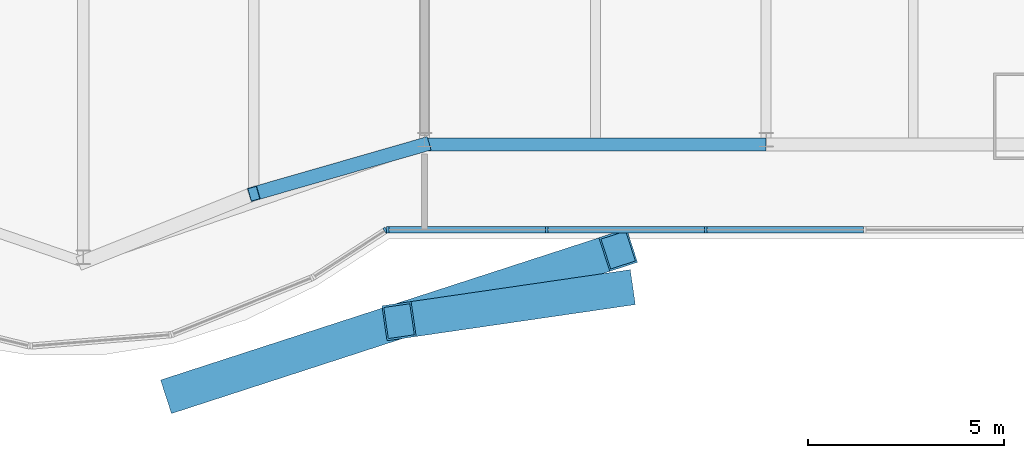
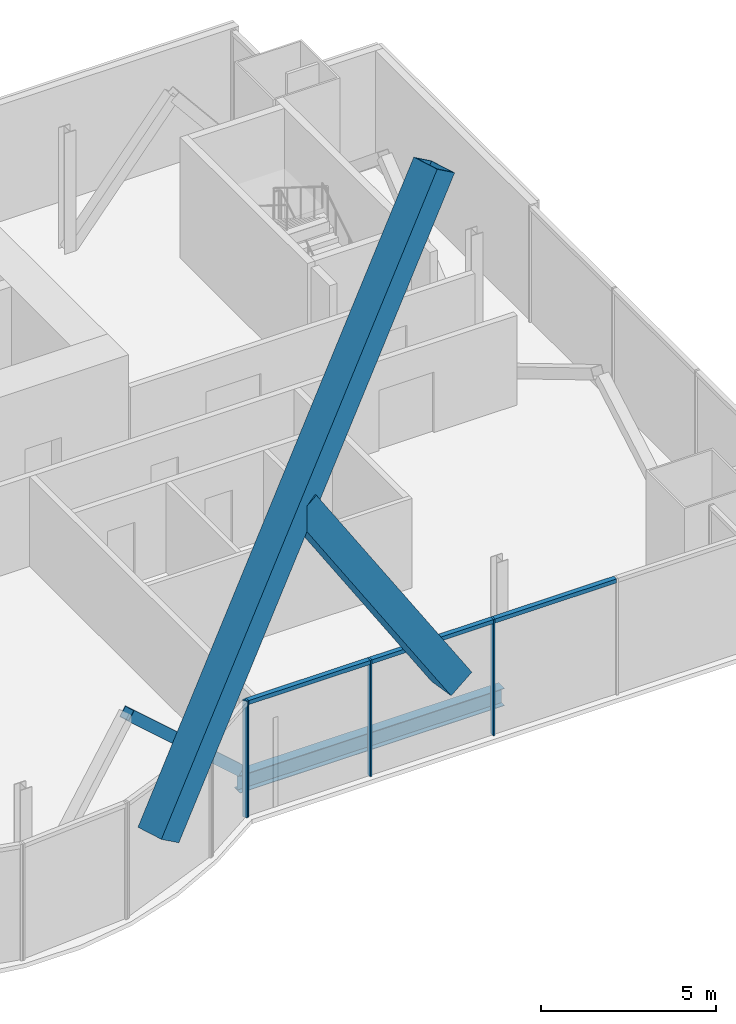
# One storey, part 10 of 22: 10 members, 1 beam, 2 elements without a shape of their own.
"""IFC4 building model written with IfcOpenShell, lengths in metres."""

import ifcopenshell
import ifcopenshell.guid

model = None  # the IFC model being written
_history = None  # IfcOwnerHistory: only IFC2X3 demands one
_inside = {}  # id of a spatial element -> (the spatial element, [elements in it])
_under = {}  # id of a project, library or spatial element -> (it, [spatial elements below it])
_declared = {}  # id of a project -> (the project, [libraries it declares])
_typed = {}  # id of a type object -> (the type object, [elements of that type])
_made_of = {}  # id of a material, layer set ... -> (it, [elements and type objects made of it])


def new_model(schema):
    """Start an empty IFC model of exactly this schema.

    Asked for "IFC4X3", IfcOpenShell would pick the latest addendum, in which some entities
    have other attributes; the version numbers below select the first issue.
    IFC2X3 requires an IfcOwnerHistory on every rooted entity: one is made here for all.
    """
    global model, _history
    if schema == "IFC4X3":
        model = ifcopenshell.file(schema_version=(4, 3, 0, 0))
    else:
        model = ifcopenshell.file(schema=schema)
    _inside.clear()
    _under.clear()
    _declared.clear()
    _typed.clear()
    _made_of.clear()
    _history = None
    if model.schema == "IFC2X3":
        org = make("IfcOrganization", Name="unknown")
        user = make(
            "IfcPersonAndOrganization",
            ThePerson=make("IfcPerson", FamilyName="unknown"),
            TheOrganization=org,
        )
        app = make(
            "IfcApplication",
            ApplicationDeveloper=org,
            Version="unknown",
            ApplicationFullName="unknown",
            ApplicationIdentifier="unknown",
        )
        _history = make(
            "IfcOwnerHistory",
            OwningUser=user,
            OwningApplication=app,
            ChangeAction="ADDED",
            CreationDate=0,
        )
    return model


def make(cls, **values):
    """One entity of the class cls with the attributes given. An attribute that is None is left unset."""
    return model.create_entity(
        cls, **{name: value for name, value in values.items() if value is not None}
    )


def rooted(cls, **values):
    """An entity with a GlobalId (a new one), such as an element, a storey or a relation."""
    return make(cls, GlobalId=ifcopenshell.guid.new(), OwnerHistory=_history, **values)


def si_unit(unit_type, name, prefix=None):
    """IfcSIUnit, for example si_unit("LENGTHUNIT", "METRE", prefix="MILLI")."""
    return make("IfcSIUnit", UnitType=unit_type, Prefix=prefix, Name=name)


def assignment(units):
    """IfcUnitAssignment: the units of a project."""
    return None if units is None else make("IfcUnitAssignment", Units=units)


def point(xyz):
    """IfcCartesianPoint."""
    return None if xyz is None else make("IfcCartesianPoint", Coordinates=xyz)


def direction(xyz):
    """IfcDirection."""
    return None if xyz is None else make("IfcDirection", DirectionRatios=xyz)


def frame(location, z_axis=None, x_axis=None):
    """IfcAxis2Placement3D, a coordinate frame: its origin and axes. An axis left out is left unset."""
    return make(
        "IfcAxis2Placement3D",
        Location=point(location),
        Axis=direction(z_axis),
        RefDirection=direction(x_axis),
    )


def frame_2d(location, x_axis=None):
    """IfcAxis2Placement2D, a coordinate frame in the plane: its origin and x axis."""
    return make(
        "IfcAxis2Placement2D", Location=point(location), RefDirection=direction(x_axis)
    )


def origin():
    """The frame at (0, 0, 0) with its axes left unset."""
    return frame((0.0, 0.0, 0.0))


def origin_2d():
    """The frame at (0, 0) in the plane with its x axis left unset."""
    return frame_2d((0.0, 0.0))


def place(relative_to, where):
    """IfcLocalPlacement: puts the frame where relative to a parent placement (None: the world)."""
    return make(
        "IfcLocalPlacement", PlacementRelTo=relative_to, RelativePlacement=where
    )


def context(
    kind, dimensions, precision=None, world=None, true_north=None, identifier=None
):
    """IfcGeometricRepresentationContext, for example the 3D "Model" context."""
    return make(
        "IfcGeometricRepresentationContext",
        ContextIdentifier=identifier,
        ContextType=kind,
        CoordinateSpaceDimension=dimensions,
        Precision=precision,
        WorldCoordinateSystem=world,
        TrueNorth=true_north,
    )


def subcontext(parent, identifier, kind, view, scale=None):
    """IfcGeometricRepresentationSubContext, for example "Body" below "Model"."""
    return make(
        "IfcGeometricRepresentationSubContext",
        ContextIdentifier=identifier,
        ContextType=kind,
        ParentContext=parent,
        TargetScale=scale,
        TargetView=view,
    )


def project(units=None, contexts=None):
    """IfcProject with its units and contexts."""
    return rooted(
        "IfcProject",
        Name="project",
        RepresentationContexts=contexts,
        UnitsInContext=assignment(units),
    )


def spatial(cls, under=None, at=None, **own):
    """A site, building, storey or space (cls), placed at a placement, below another one or the project."""
    s = rooted(cls, ObjectPlacement=at, **own)
    if under is not None:
        _under.setdefault(under.id(), (under, []))[1].append(s)
    return s


def profile(cls, at=None, kind="AREA", **sizes):
    """A parametric profile (cls). Its sizes go by their IFC names, for example OverallWidth=200.0."""
    return make(cls, ProfileType=kind, Position=at, **sizes)


def rectangle(**sizes):
    """IfcRectangleProfileDef."""
    return profile("IfcRectangleProfileDef", **sizes)


def hollow_rectangle(**sizes):
    """IfcRectangleHollowProfileDef."""
    return profile("IfcRectangleHollowProfileDef", **sizes)


def i_section(**sizes):
    """IfcIShapeProfileDef."""
    return profile("IfcIShapeProfileDef", **sizes)


def extrude(swept, where, along, depth):
    """IfcExtrudedAreaSolid: the profile swept, set in the frame where, extruded along a direction by depth."""
    return make(
        "IfcExtrudedAreaSolid",
        SweptArea=swept,
        Position=where,
        ExtrudedDirection=direction(along),
        Depth=depth,
    )


def shape(context_of_items, identifier, shape_type, items):
    """IfcShapeRepresentation: the items that make up one representation, for example the "Body"."""
    return make(
        "IfcShapeRepresentation",
        ContextOfItems=context_of_items,
        RepresentationIdentifier=identifier,
        RepresentationType=shape_type,
        Items=items,
    )


def material(Name=None, Category=None):
    """IfcMaterial."""
    return make("IfcMaterial", Name=Name, Category=Category)


def material_profile(
    of_material, cross_section, Name=None, Category=None, Priority=None
):
    """IfcMaterialProfile: a cross section and its material."""
    return make(
        "IfcMaterialProfile",
        Name=Name,
        Material=of_material,
        Profile=cross_section,
        Priority=Priority,
        Category=Category,
    )


def profile_set(profiles, Name=None, composite=None):
    """IfcMaterialProfileSet."""
    return make(
        "IfcMaterialProfileSet",
        Name=Name,
        MaterialProfiles=profiles,
        CompositeProfile=composite,
    )


def made_of(thing, what):
    """Note that an element or type object is made of a material, layer set ...; save() writes the relation."""
    if what is not None:
        _made_of.setdefault(what.id(), (what, []))[1].append(thing)
    return thing


def type_object(cls, material=None, **own):
    """A type object (cls), such as IfcWallType, which elements share."""
    return made_of(rooted(cls, **own), material)


def element(
    cls,
    number,
    at=None,
    inside=None,
    cuts=None,
    type_object=None,
    material=None,
    context=None,
    identifier="Body",
    shape_type=None,
    held_by="IfcProductDefinitionShape",
    body=None,
    shapes=None,
    **own,
):
    """One element of the class cls, such as IfcWall. Its Tag is "e" and its number.

    at: its placement. inside: the storey or other place that contains it. cuts: it is an
    opening in that element (IfcRelVoidsElement). A single representation is given by context,
    identifier, shape_type and body (its items); several are given by shapes. held_by: the class
    of the entity that holds the representations. save() writes the other relations.
    """
    e = rooted(cls, Tag="e%d" % number, ObjectPlacement=at, **own)
    if body is not None:
        shapes = [shape(context, identifier, shape_type, body)]
    if shapes is not None:
        e.Representation = make(held_by, Representations=shapes)
    if inside is not None:
        _inside.setdefault(inside.id(), (inside, []))[1].append(e)
    if cuts is not None:
        rooted(
            "IfcRelVoidsElement", RelatingBuildingElement=cuts, RelatedOpeningElement=e
        )
    if type_object is not None:
        _typed.setdefault(type_object.id(), (type_object, []))[1].append(e)
    return made_of(e, material)


def aggregate(whole, parts):
    """IfcRelAggregates: a whole, such as a stair, and the parts it consists of."""
    return rooted("IfcRelAggregates", RelatingObject=whole, RelatedObjects=parts)


def save(model, path):
    """Write the relations noted so far, then the file.

    IfcRelAggregates (storeys below a building ...), IfcRelContainedInSpatialStructure (elements
    in a storey), IfcRelDefinesByType, IfcRelAssociatesMaterial and IfcRelDeclares: one each for
    every whole, place, type object, material and project.
    """
    for whole, parts in _under.values():
        aggregate(whole, parts)
    for where, things in _inside.values():
        rooted(
            "IfcRelContainedInSpatialStructure",
            RelatedElements=things,
            RelatingStructure=where,
        )
    for kind, things in _typed.values():
        rooted("IfcRelDefinesByType", RelatedObjects=things, RelatingType=kind)
    for what, things in _made_of.values():
        rooted("IfcRelAssociatesMaterial", RelatedObjects=things, RelatingMaterial=what)
    for by, libraries in _declared.values():
        rooted("IfcRelDeclares", RelatingContext=by, RelatedDefinitions=libraries)
    model.write(path)


model = new_model("IFC4")

# Units and contexts
model_context = context("Model", 3, precision=1e-05, world=origin(), true_north=direction((0.0, 1.0)))
body_context = subcontext(model_context, "Body", "Model", "MODEL_VIEW")
ifc_project = project(units=[si_unit("LENGTHUNIT", "METRE"), si_unit("AREAUNIT", "SQUARE_METRE"), si_unit("VOLUMEUNIT", "CUBIC_METRE"), si_unit("PLANEANGLEUNIT", "RADIAN"), si_unit("MASSUNIT", "GRAM", prefix="KILO")], contexts=[model_context])

# Site, building, storey
site_placement = place(None, origin())
site = spatial("IfcSite", under=ifc_project, at=site_placement, CompositionType="ELEMENT")
building_placement = place(site_placement, origin())
building = spatial("IfcBuilding", under=site, at=building_placement, Name="Bicima Exchange Tower", CompositionType="ELEMENT")
storey_placement = place(building_placement, frame((0.0, 0.0, 254.0)))
storey = spatial("IfcBuildingStorey", under=building, at=storey_placement, Name="L57", CompositionType="ELEMENT", Elevation=254.0)

# Members
ifc_material_1 = material(Name="Steel ASTM A572 Gr 50", Category="steel")
ifc_material_profile_1 = material_profile(ifc_material_1, hollow_rectangle(XDim=0.89990234375, YDim=0.89990234375, WallThickness=0.050048828125, at=origin_2d()))
ifc_profile_set_1 = profile_set([ifc_material_profile_1], Name="Steel ASTM A572 Gr 50")
member_type_1 = type_object("IfcMemberType", Name="Exo mega brace BOX 900x900x50", PredefinedType="BRACE", material=ifc_profile_set_1)
member_1_placement = place(storey_placement, frame((11.166748046875, -33.466064453125, 3.699951171875), z_axis=(0.536216672824, 0.174037704055, 0.825943434718), x_axis=(-0.308712689248, 0.951155337207, 0.0)))
element("IfcMember", 1, at=member_1_placement, inside=storey, type_object=member_type_1, Name="Exo mega brace front", PredefinedType="BRACE", context=body_context, shape_type="SweptSolid", body=[
    extrude(hollow_rectangle(XDim=0.89990234375, YDim=0.89990234375, WallThickness=0.050048828125, at=origin_2d()), origin(), (0.0, 0.0, 1.0), 20.82470703125),
])
member_2_placement = place(storey_placement, frame((22.333251953125, -30.841064453125, 3.699951171875), z_axis=(-0.542818684575, -0.079017158641, 0.83612449092), x_axis=(0.144050019133, -0.989570407797, 0.0)))
element("IfcMember", 2, at=member_2_placement, inside=storey, type_object=member_type_1, Name="Exo mega brace front", PredefinedType="BRACE", context=body_context, shape_type="SweptSolid", body=[
    extrude(hollow_rectangle(XDim=0.89990234375, YDim=0.89990234375, WallThickness=0.050048828125, at=origin_2d()), origin(), (0.0, 0.0, 1.0), 10.28564453125),
])

# Beam
ifc_material_2 = material(Name="Steel ASTM A992 Gr 50", Category="steel")
ifc_material_profile_2 = material_profile(ifc_material_2, i_section(OverallWidth=0.3251953125, OverallDepth=0.612060546875, WebThickness=0.0126953125, FlangeThickness=0.01904296875, at=origin_2d()))
ifc_profile_set_2 = profile_set([ifc_material_profile_2], Name="Steel ASTM A992 Gr 50")
beam_type = type_object("IfcBeamType", Name="Front girder W24x104", PredefinedType="BEAM", material=ifc_profile_set_2)
beam_placement = place(storey_placement, frame((17.39990234375, -27.156005859375, -0.4560546875), z_axis=(1.0, 0.0, 0.0), x_axis=(0.0, 1.0, 0.0)))
element("IfcBeam", 3, at=beam_placement, inside=storey, type_object=beam_type, Name="Front girder", PredefinedType="BEAM", context=body_context, shape_type="SweptSolid", body=[
    extrude(i_section(OverallWidth=0.3251953125, OverallDepth=0.612060546875, WebThickness=0.0126953125, FlangeThickness=0.01904296875, at=origin_2d()), origin(), (0.0, 0.0, 1.0), 8.7001953125),
])

# Curtain wall, member
ifc_material_3 = material(Name="Anodised bronze aluminium", Category="aluminium")
curtain_wall_type = type_object("IfcCurtainWallType", Name="Front glass wall", PredefinedType="NOTDEFINED", material=ifc_material_3)
curtain_wall_1_placement = place(storey_placement, origin())
curtain_wall_1 = element("IfcCurtainWall", 4, at=curtain_wall_1_placement, inside=storey, type_object=curtain_wall_type, Name="Front glass wall L57 run 11", PredefinedType="NOTDEFINED")
ifc_material_profile_3 = material_profile(ifc_material_3, rectangle(XDim=0.159912109375, YDim=0.06005859375, at=origin_2d()))
ifc_profile_set_3 = profile_set([ifc_material_profile_3], Name="Anodised bronze aluminium")
member_type_2 = type_object("IfcMemberType", Name="Front glass wall mullion 60 x 160", PredefinedType="MULLION", material=ifc_profile_set_3)
member_3_placement = place(storey_placement, frame((16.406982421875, -29.34228515625, 0.0), z_axis=(0.0, 0.0, 1.0), x_axis=(-0.542909183079, 0.839791413941, 0.0)))
member_3 = element("IfcMember", 5, at=member_3_placement, type_object=member_type_2, Name="Front glass wall mullion 2", PredefinedType="MULLION", context=body_context, shape_type="SweptSolid", body=[
    extrude(rectangle(XDim=0.159912109375, YDim=0.06005859375, at=origin_2d()), origin(), (0.0, 0.0, 1.0), 4.050048828125),
])
aggregate(curtain_wall_1, [member_3])

# Curtain wall, members
curtain_wall_2_placement = place(storey_placement, origin())
curtain_wall_2 = element("IfcCurtainWall", 6, at=curtain_wall_2_placement, inside=storey, type_object=curtain_wall_type, Name="Front glass wall L57 run 16", PredefinedType="NOTDEFINED")
member_4_placement = place(storey_placement, frame((16.462158203125, -29.325927734375, 0.0), z_axis=(0.0, 0.0, 1.0), x_axis=(0.0, 1.0, 0.0)))
member_4 = element("IfcMember", 7, at=member_4_placement, type_object=member_type_2, Name="Front glass wall mullion 1", PredefinedType="MULLION", context=body_context, shape_type="SweptSolid", body=[
    extrude(rectangle(XDim=0.159912109375, YDim=0.06005859375, at=origin_2d()), origin(), (0.0, 0.0, 1.0), 4.050048828125),
])
member_5_placement = place(storey_placement, frame((20.51171875, -29.325927734375, 0.0), z_axis=(0.0, 0.0, 1.0), x_axis=(0.0, 1.0, 0.0)))
member_5 = element("IfcMember", 8, at=member_5_placement, type_object=member_type_2, Name="Front glass wall mullion 2", PredefinedType="MULLION", context=body_context, shape_type="SweptSolid", body=[
    extrude(rectangle(XDim=0.159912109375, YDim=0.06005859375, at=origin_2d()), origin(), (0.0, 0.0, 1.0), 4.050048828125),
])
member_6_placement = place(storey_placement, frame((24.56103515625, -29.325927734375, 0.0), z_axis=(0.0, 0.0, 1.0), x_axis=(0.0, 1.0, 0.0)))
member_6 = element("IfcMember", 9, at=member_6_placement, type_object=member_type_2, Name="Front glass wall mullion 3", PredefinedType="MULLION", context=body_context, shape_type="SweptSolid", body=[
    extrude(rectangle(XDim=0.159912109375, YDim=0.06005859375, at=origin_2d()), origin(), (0.0, 0.0, 1.0), 4.050048828125),
])
ifc_material_profile_4 = material_profile(ifc_material_3, rectangle(XDim=0.159912109375, YDim=0.139892578125, at=origin_2d()))
ifc_profile_set_4 = profile_set([ifc_material_profile_4], Name="Anodised bronze aluminium")
member_type_3 = type_object("IfcMemberType", Name="Front glass wall transom 140 x 160", PredefinedType="USERDEFINED", material=ifc_profile_set_4)
member_7_placement = place(storey_placement, frame((16.4921875, -29.325927734375, 3.97998046875), z_axis=(1.0, 0.0, 0.0), x_axis=(0.0, 1.0, 0.0)))
member_7 = element("IfcMember", 10, at=member_7_placement, type_object=member_type_3, Name="Front glass wall transom 1.1", ObjectType="TRANSOM", PredefinedType="USERDEFINED", context=body_context, shape_type="SweptSolid", body=[
    extrude(rectangle(XDim=0.159912109375, YDim=0.139892578125, at=origin_2d()), origin(), (0.0, 0.0, 1.0), 3.989501953125),
])
member_8_placement = place(storey_placement, frame((20.54150390625, -29.325927734375, 3.97998046875), z_axis=(1.0, 0.0, 0.0), x_axis=(0.0, 1.0, 0.0)))
member_8 = element("IfcMember", 11, at=member_8_placement, type_object=member_type_3, Name="Front glass wall transom 2.1", ObjectType="TRANSOM", PredefinedType="USERDEFINED", context=body_context, shape_type="SweptSolid", body=[
    extrude(rectangle(XDim=0.159912109375, YDim=0.139892578125, at=origin_2d()), origin(), (0.0, 0.0, 1.0), 3.989501953125),
])
member_9_placement = place(storey_placement, frame((24.591064453125, -29.325927734375, 3.97998046875), z_axis=(1.0, 0.0, 0.0), x_axis=(0.0, 1.0, 0.0)))
member_9 = element("IfcMember", 12, at=member_9_placement, type_object=member_type_3, Name="Front glass wall transom 3.1", ObjectType="TRANSOM", PredefinedType="USERDEFINED", context=body_context, shape_type="SweptSolid", body=[
    extrude(rectangle(XDim=0.159912109375, YDim=0.139892578125, at=origin_2d()), origin(), (0.0, 0.0, 1.0), 3.989501953125),
])
aggregate(curtain_wall_2, [member_4, member_5, member_6, member_7, member_8, member_9])

# Member
ifc_material_profile_5 = material_profile(ifc_material_1, hollow_rectangle(XDim=0.355712890625, YDim=0.355712890625, WallThickness=0.0146484375, at=origin_2d()))
ifc_profile_set_5 = profile_set([ifc_material_profile_5], Name="Steel ASTM A572 Gr 50")
member_type_4 = type_object("IfcMemberType", Name="Mega brace HSS14x14x5/8", PredefinedType="BRACE", material=ifc_profile_set_5)
member_10_placement = place(storey_placement, frame((17.39990234375, -27.156005859375, 0.0), z_axis=(-0.704463393318, -0.202676059614, 0.680186549657), x_axis=(0.27648739579, -0.961017544049, 0.0)))
element("IfcMember", 13, at=member_10_placement, inside=storey, type_object=member_type_4, Name="Mega brace front", PredefinedType="BRACE", context=body_context, shape_type="SweptSolid", body=[
    extrude(hollow_rectangle(XDim=0.355712890625, YDim=0.355712890625, WallThickness=0.0146484375, at=origin_2d()), origin(), (0.0, 0.0, 1.0), 6.1748046875),
])

save(model, "model.ifc")
